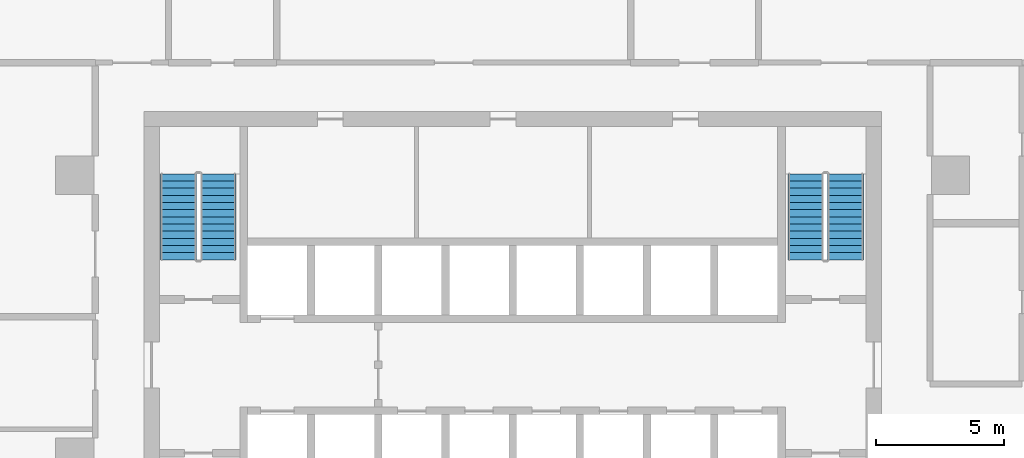
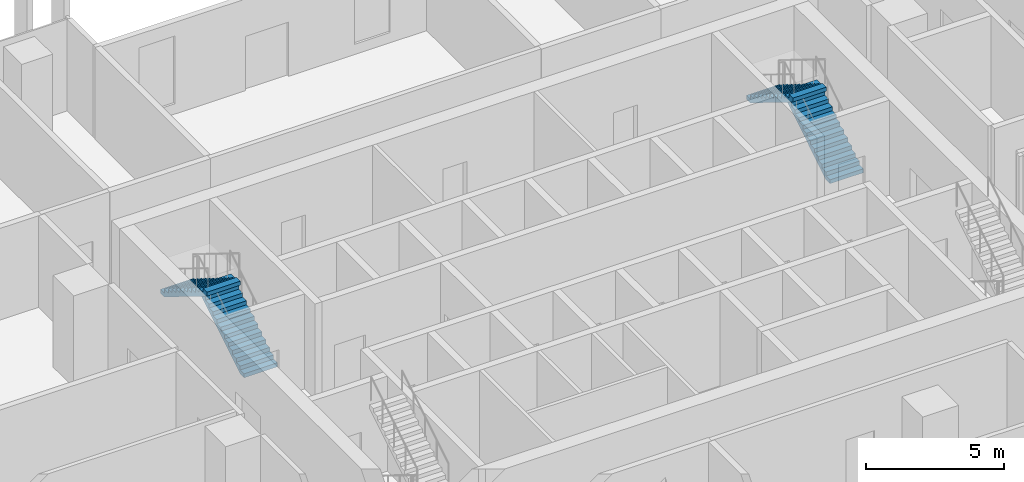
# One storey, part 11 of 17: 4 stair flights, 2 elements without a shape of their own.
"""IFC4 building model written with IfcOpenShell, lengths in metres."""

from ifc_helpers import new_model, si_unit, direction, frame, origin, place, context, subcontext, project, spatial, polyline, outline, extrude, material, type_object, element, aggregate, save


model = new_model("IFC4")

# Units and contexts
model_context = context("Model", 3, precision=1e-05, world=origin(), true_north=direction((0.0, 1.0)))
body_context = subcontext(model_context, "Body", "Model", "MODEL_VIEW")
ifc_project = project(units=[si_unit("LENGTHUNIT", "METRE"), si_unit("AREAUNIT", "SQUARE_METRE"), si_unit("VOLUMEUNIT", "CUBIC_METRE"), si_unit("PLANEANGLEUNIT", "RADIAN"), si_unit("MASSUNIT", "GRAM", prefix="KILO")], contexts=[model_context])

# Site, building, storey
site_placement = place(None, origin())
site = spatial("IfcSite", under=ifc_project, at=site_placement, CompositionType="ELEMENT")
building_placement = place(site_placement, origin())
building = spatial("IfcBuilding", under=site, at=building_placement, Name="Mopane Tessera Tower", CompositionType="ELEMENT")
storey_placement = place(building_placement, frame((0.0, 0.0, 135.10009765625)))
storey = spatial("IfcBuildingStorey", under=building, at=storey_placement, Name="L27", CompositionType="ELEMENT", Elevation=135.10009765625)

# Stair, stair flights
ifc_material_1 = material(Name="Concrete C50/60", Category="concrete")
stair_type = type_object("IfcStairType", Name="Escape stair 1400 mm, riser 173 mm", PredefinedType="HALF_TURN_STAIR", material=ifc_material_1)
stair_1_placement = place(storey_placement, origin())
stair_1 = element("IfcStair", 1, at=stair_1_placement, inside=storey, type_object=stair_type, Name="L27 Escape stair north-west", PredefinedType="HALF_TURN_STAIR")
ifc_material_2 = material(Name="Concrete C50/60", Category="concrete")
stair_flight_type = type_object("IfcStairFlightType", Name="Escape stair flight 1400 mm", PredefinedType="STRAIGHT", material=ifc_material_2)
stair_flight_1_placement = place(storey_placement, frame((-11.5, 7.699951171875, 0.0), z_axis=(0.0, 0.0, 1.0), x_axis=(0.0, 1.0, 0.0)))
stair_flight_1 = element("IfcStairFlight", 2, at=stair_flight_1_placement, type_object=stair_flight_type, Name="ST2 flight 1", NumberOfRisers=13, NumberOfTreads=12, PredefinedType="STRAIGHT", RiserHeight=0.173076923, TreadLength=0.28, context=body_context, shape_type="SweptSolid", body=[
    extrude(outline(polyline([(0.0, 0.0), (0.0, 0.173095703125), (0.280029296875, 0.173095703125), (0.280029296875, 0.34619140625), (0.56005859375, 0.34619140625), (0.56005859375, 0.519287109375), (0.840087890625, 0.519287109375), (0.840087890625, 0.6923828125), (1.1201171875, 0.6923828125), (1.1201171875, 0.865478515625), (1.39990234375, 0.865478515625), (1.39990234375, 1.03857421875), (1.679931640625, 1.03857421875), (1.679931640625, 1.21142578125), (1.9599609375, 1.21142578125), (1.9599609375, 1.384521484375), (2.239990234375, 1.384521484375), (2.239990234375, 1.5576171875), (2.52001953125, 1.5576171875), (2.52001953125, 1.730712890625), (2.800048828125, 1.730712890625), (2.800048828125, 1.90380859375), (3.080078125, 1.90380859375), (3.080078125, 2.076904296875), (3.360107421875, 2.076904296875), (3.360107421875, 2.25), (3.360107421875, 1.900634765625), (0.28515625, 0.0), (0.0, 0.0)])), frame((0.0, 0.699951171875, 0.0), z_axis=(0.0, -1.0, 0.0), x_axis=(1.0, 0.0, 0.0)), (0.0, 0.0, 1.0), 1.39990234375),
])
stair_flight_2_placement = place(storey_placement, frame((-13.050048828125, 11.06005859375, 2.25), z_axis=(0.0, 0.0, 1.0), x_axis=(0.0, -1.0, 0.0)))
stair_flight_2 = element("IfcStairFlight", 3, at=stair_flight_2_placement, type_object=stair_flight_type, Name="ST2 flight 2", NumberOfRisers=13, NumberOfTreads=12, PredefinedType="STRAIGHT", RiserHeight=0.173076923, TreadLength=0.28, context=body_context, shape_type="SweptSolid", body=[
    extrude(outline(polyline([(0.0, 0.0), (0.0, 0.173095703125), (0.280029296875, 0.173095703125), (0.280029296875, 0.34619140625), (0.56005859375, 0.34619140625), (0.56005859375, 0.519287109375), (0.840087890625, 0.519287109375), (0.840087890625, 0.6923828125), (1.1201171875, 0.6923828125), (1.1201171875, 0.865478515625), (1.39990234375, 0.865478515625), (1.39990234375, 1.03857421875), (1.679931640625, 1.03857421875), (1.679931640625, 1.21142578125), (1.9599609375, 1.21142578125), (1.9599609375, 1.384521484375), (2.239990234375, 1.384521484375), (2.239990234375, 1.5576171875), (2.52001953125, 1.5576171875), (2.52001953125, 1.730712890625), (2.800048828125, 1.730712890625), (2.800048828125, 1.90380859375), (3.080078125, 1.90380859375), (3.080078125, 2.076904296875), (3.360107421875, 2.076904296875), (3.360107421875, 2.25), (3.360107421875, 1.900634765625), (0.28515625, 0.0), (0.0, 0.0)])), frame((0.0, 0.699951171875, 0.0), z_axis=(0.0, -1.0, 0.0), x_axis=(1.0, 0.0, 0.0)), (0.0, 0.0, 1.0), 1.39990234375),
])
aggregate(stair_1, [stair_flight_1, stair_flight_2])

stair_2_placement = place(storey_placement, origin())
stair_2 = element("IfcStair", 4, at=stair_2_placement, inside=storey, type_object=stair_type, Name="L27 Escape stair north-east", PredefinedType="HALF_TURN_STAIR")
stair_flight_3_placement = place(storey_placement, frame((13.0, 7.699951171875, 0.0), z_axis=(0.0, 0.0, 1.0), x_axis=(0.0, 1.0, 0.0)))
stair_flight_3 = element("IfcStairFlight", 5, at=stair_flight_3_placement, type_object=stair_flight_type, Name="ST4 flight 1", NumberOfRisers=13, NumberOfTreads=12, PredefinedType="STRAIGHT", RiserHeight=0.173076923, TreadLength=0.28, context=body_context, shape_type="SweptSolid", body=[
    extrude(outline(polyline([(0.0, 0.0), (0.0, 0.173095703125), (0.280029296875, 0.173095703125), (0.280029296875, 0.34619140625), (0.56005859375, 0.34619140625), (0.56005859375, 0.519287109375), (0.840087890625, 0.519287109375), (0.840087890625, 0.6923828125), (1.1201171875, 0.6923828125), (1.1201171875, 0.865478515625), (1.39990234375, 0.865478515625), (1.39990234375, 1.03857421875), (1.679931640625, 1.03857421875), (1.679931640625, 1.21142578125), (1.9599609375, 1.21142578125), (1.9599609375, 1.384521484375), (2.239990234375, 1.384521484375), (2.239990234375, 1.5576171875), (2.52001953125, 1.5576171875), (2.52001953125, 1.730712890625), (2.800048828125, 1.730712890625), (2.800048828125, 1.90380859375), (3.080078125, 1.90380859375), (3.080078125, 2.076904296875), (3.360107421875, 2.076904296875), (3.360107421875, 2.25), (3.360107421875, 1.900634765625), (0.28515625, 0.0), (0.0, 0.0)])), frame((0.0, 0.699951171875, 0.0), z_axis=(0.0, -1.0, 0.0), x_axis=(1.0, 0.0, 0.0)), (0.0, 0.0, 1.0), 1.39990234375),
])
stair_flight_4_placement = place(storey_placement, frame((11.449951171875, 11.06005859375, 2.25), z_axis=(0.0, 0.0, 1.0), x_axis=(0.0, -1.0, 0.0)))
stair_flight_4 = element("IfcStairFlight", 6, at=stair_flight_4_placement, type_object=stair_flight_type, Name="ST4 flight 2", NumberOfRisers=13, NumberOfTreads=12, PredefinedType="STRAIGHT", RiserHeight=0.173076923, TreadLength=0.28, context=body_context, shape_type="SweptSolid", body=[
    extrude(outline(polyline([(0.0, 0.0), (0.0, 0.173095703125), (0.280029296875, 0.173095703125), (0.280029296875, 0.34619140625), (0.56005859375, 0.34619140625), (0.56005859375, 0.519287109375), (0.840087890625, 0.519287109375), (0.840087890625, 0.6923828125), (1.1201171875, 0.6923828125), (1.1201171875, 0.865478515625), (1.39990234375, 0.865478515625), (1.39990234375, 1.03857421875), (1.679931640625, 1.03857421875), (1.679931640625, 1.21142578125), (1.9599609375, 1.21142578125), (1.9599609375, 1.384521484375), (2.239990234375, 1.384521484375), (2.239990234375, 1.5576171875), (2.52001953125, 1.5576171875), (2.52001953125, 1.730712890625), (2.800048828125, 1.730712890625), (2.800048828125, 1.90380859375), (3.080078125, 1.90380859375), (3.080078125, 2.076904296875), (3.360107421875, 2.076904296875), (3.360107421875, 2.25), (3.360107421875, 1.900634765625), (0.28515625, 0.0), (0.0, 0.0)])), frame((0.0, 0.699951171875, 0.0), z_axis=(0.0, -1.0, 0.0), x_axis=(1.0, 0.0, 0.0)), (0.0, 0.0, 1.0), 1.39990234375),
])
aggregate(stair_2, [stair_flight_3, stair_flight_4])

save(model, "model.ifc")
